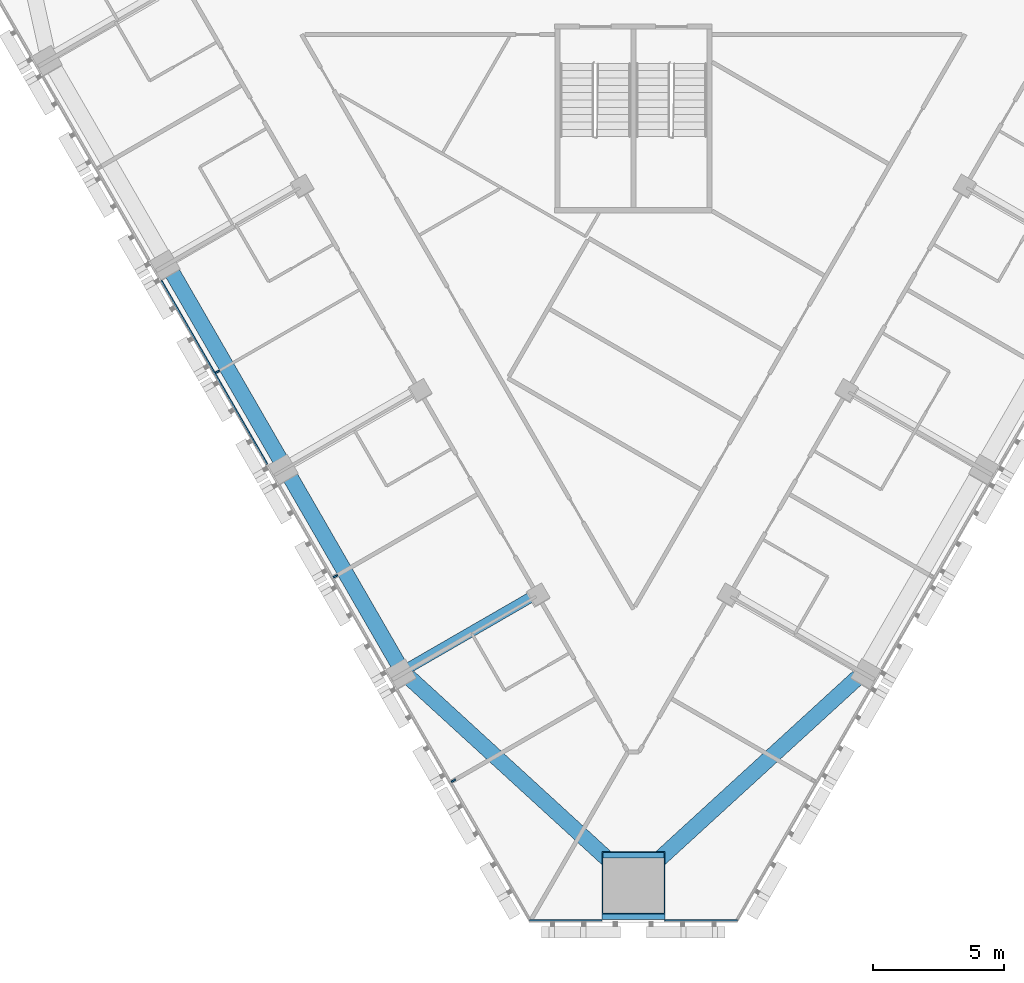
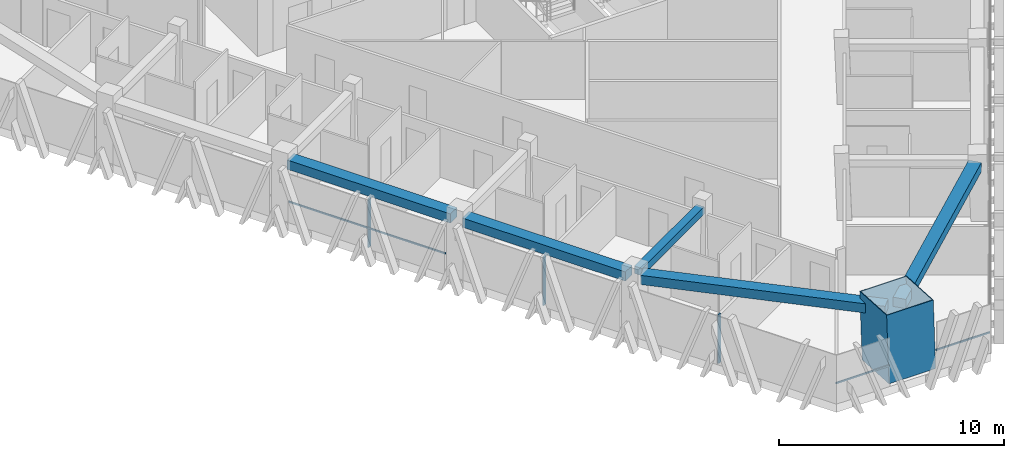
# One storey, part 2 of 16: 7 members, 5 beams, 2 elements without a shape of their own.
"""IFC4 building model written with IfcOpenShell, lengths in metres."""

import ifcopenshell
import ifcopenshell.guid

model = None  # the IFC model being written
_history = None  # IfcOwnerHistory: only IFC2X3 demands one
_inside = {}  # id of a spatial element -> (the spatial element, [elements in it])
_under = {}  # id of a project, library or spatial element -> (it, [spatial elements below it])
_declared = {}  # id of a project -> (the project, [libraries it declares])
_typed = {}  # id of a type object -> (the type object, [elements of that type])
_made_of = {}  # id of a material, layer set ... -> (it, [elements and type objects made of it])


def new_model(schema):
    """Start an empty IFC model of exactly this schema.

    Asked for "IFC4X3", IfcOpenShell would pick the latest addendum, in which some entities
    have other attributes; the version numbers below select the first issue.
    IFC2X3 requires an IfcOwnerHistory on every rooted entity: one is made here for all.
    """
    global model, _history
    if schema == "IFC4X3":
        model = ifcopenshell.file(schema_version=(4, 3, 0, 0))
    else:
        model = ifcopenshell.file(schema=schema)
    _inside.clear()
    _under.clear()
    _declared.clear()
    _typed.clear()
    _made_of.clear()
    _history = None
    if model.schema == "IFC2X3":
        org = make("IfcOrganization", Name="unknown")
        user = make(
            "IfcPersonAndOrganization",
            ThePerson=make("IfcPerson", FamilyName="unknown"),
            TheOrganization=org,
        )
        app = make(
            "IfcApplication",
            ApplicationDeveloper=org,
            Version="unknown",
            ApplicationFullName="unknown",
            ApplicationIdentifier="unknown",
        )
        _history = make(
            "IfcOwnerHistory",
            OwningUser=user,
            OwningApplication=app,
            ChangeAction="ADDED",
            CreationDate=0,
        )
    return model


def make(cls, **values):
    """One entity of the class cls with the attributes given. An attribute that is None is left unset."""
    return model.create_entity(
        cls, **{name: value for name, value in values.items() if value is not None}
    )


def rooted(cls, **values):
    """An entity with a GlobalId (a new one), such as an element, a storey or a relation."""
    return make(cls, GlobalId=ifcopenshell.guid.new(), OwnerHistory=_history, **values)


def si_unit(unit_type, name, prefix=None):
    """IfcSIUnit, for example si_unit("LENGTHUNIT", "METRE", prefix="MILLI")."""
    return make("IfcSIUnit", UnitType=unit_type, Prefix=prefix, Name=name)


def assignment(units):
    """IfcUnitAssignment: the units of a project."""
    return None if units is None else make("IfcUnitAssignment", Units=units)


def point(xyz):
    """IfcCartesianPoint."""
    return None if xyz is None else make("IfcCartesianPoint", Coordinates=xyz)


def direction(xyz):
    """IfcDirection."""
    return None if xyz is None else make("IfcDirection", DirectionRatios=xyz)


def frame(location, z_axis=None, x_axis=None):
    """IfcAxis2Placement3D, a coordinate frame: its origin and axes. An axis left out is left unset."""
    return make(
        "IfcAxis2Placement3D",
        Location=point(location),
        Axis=direction(z_axis),
        RefDirection=direction(x_axis),
    )


def frame_2d(location, x_axis=None):
    """IfcAxis2Placement2D, a coordinate frame in the plane: its origin and x axis."""
    return make(
        "IfcAxis2Placement2D", Location=point(location), RefDirection=direction(x_axis)
    )


def origin():
    """The frame at (0, 0, 0) with its axes left unset."""
    return frame((0.0, 0.0, 0.0))


def origin_2d():
    """The frame at (0, 0) in the plane with its x axis left unset."""
    return frame_2d((0.0, 0.0))


def place(relative_to, where):
    """IfcLocalPlacement: puts the frame where relative to a parent placement (None: the world)."""
    return make(
        "IfcLocalPlacement", PlacementRelTo=relative_to, RelativePlacement=where
    )


def context(
    kind, dimensions, precision=None, world=None, true_north=None, identifier=None
):
    """IfcGeometricRepresentationContext, for example the 3D "Model" context."""
    return make(
        "IfcGeometricRepresentationContext",
        ContextIdentifier=identifier,
        ContextType=kind,
        CoordinateSpaceDimension=dimensions,
        Precision=precision,
        WorldCoordinateSystem=world,
        TrueNorth=true_north,
    )


def subcontext(parent, identifier, kind, view, scale=None):
    """IfcGeometricRepresentationSubContext, for example "Body" below "Model"."""
    return make(
        "IfcGeometricRepresentationSubContext",
        ContextIdentifier=identifier,
        ContextType=kind,
        ParentContext=parent,
        TargetScale=scale,
        TargetView=view,
    )


def project(units=None, contexts=None):
    """IfcProject with its units and contexts."""
    return rooted(
        "IfcProject",
        Name="project",
        RepresentationContexts=contexts,
        UnitsInContext=assignment(units),
    )


def spatial(cls, under=None, at=None, **own):
    """A site, building, storey or space (cls), placed at a placement, below another one or the project."""
    s = rooted(cls, ObjectPlacement=at, **own)
    if under is not None:
        _under.setdefault(under.id(), (under, []))[1].append(s)
    return s


def profile(cls, at=None, kind="AREA", **sizes):
    """A parametric profile (cls). Its sizes go by their IFC names, for example OverallWidth=200.0."""
    return make(cls, ProfileType=kind, Position=at, **sizes)


def rectangle(**sizes):
    """IfcRectangleProfileDef."""
    return profile("IfcRectangleProfileDef", **sizes)


def hollow_rectangle(**sizes):
    """IfcRectangleHollowProfileDef."""
    return profile("IfcRectangleHollowProfileDef", **sizes)


def extrude(swept, where, along, depth):
    """IfcExtrudedAreaSolid: the profile swept, set in the frame where, extruded along a direction by depth."""
    return make(
        "IfcExtrudedAreaSolid",
        SweptArea=swept,
        Position=where,
        ExtrudedDirection=direction(along),
        Depth=depth,
    )


def shape(context_of_items, identifier, shape_type, items):
    """IfcShapeRepresentation: the items that make up one representation, for example the "Body"."""
    return make(
        "IfcShapeRepresentation",
        ContextOfItems=context_of_items,
        RepresentationIdentifier=identifier,
        RepresentationType=shape_type,
        Items=items,
    )


def material(Name=None, Category=None):
    """IfcMaterial."""
    return make("IfcMaterial", Name=Name, Category=Category)


def layer(
    of_material, thickness, ventilated=None, Name=None, Category=None, Priority=None
):
    """IfcMaterialLayer: one layer of a wall or slab, of a material (None: an air gap)."""
    return make(
        "IfcMaterialLayer",
        Material=of_material,
        LayerThickness=thickness,
        IsVentilated=ventilated,
        Name=Name,
        Category=Category,
        Priority=Priority,
    )


def layer_set(layers, Name=None):
    """IfcMaterialLayerSet."""
    return make("IfcMaterialLayerSet", MaterialLayers=layers, LayerSetName=Name)


def material_profile(
    of_material, cross_section, Name=None, Category=None, Priority=None
):
    """IfcMaterialProfile: a cross section and its material."""
    return make(
        "IfcMaterialProfile",
        Name=Name,
        Material=of_material,
        Profile=cross_section,
        Priority=Priority,
        Category=Category,
    )


def profile_set(profiles, Name=None, composite=None):
    """IfcMaterialProfileSet."""
    return make(
        "IfcMaterialProfileSet",
        Name=Name,
        MaterialProfiles=profiles,
        CompositeProfile=composite,
    )


def made_of(thing, what):
    """Note that an element or type object is made of a material, layer set ...; save() writes the relation."""
    if what is not None:
        _made_of.setdefault(what.id(), (what, []))[1].append(thing)
    return thing


def type_object(cls, material=None, **own):
    """A type object (cls), such as IfcWallType, which elements share."""
    return made_of(rooted(cls, **own), material)


def element(
    cls,
    number,
    at=None,
    inside=None,
    cuts=None,
    type_object=None,
    material=None,
    context=None,
    identifier="Body",
    shape_type=None,
    held_by="IfcProductDefinitionShape",
    body=None,
    shapes=None,
    **own,
):
    """One element of the class cls, such as IfcWall. Its Tag is "e" and its number.

    at: its placement. inside: the storey or other place that contains it. cuts: it is an
    opening in that element (IfcRelVoidsElement). A single representation is given by context,
    identifier, shape_type and body (its items); several are given by shapes. held_by: the class
    of the entity that holds the representations. save() writes the other relations.
    """
    e = rooted(cls, Tag="e%d" % number, ObjectPlacement=at, **own)
    if body is not None:
        shapes = [shape(context, identifier, shape_type, body)]
    if shapes is not None:
        e.Representation = make(held_by, Representations=shapes)
    if inside is not None:
        _inside.setdefault(inside.id(), (inside, []))[1].append(e)
    if cuts is not None:
        rooted(
            "IfcRelVoidsElement", RelatingBuildingElement=cuts, RelatedOpeningElement=e
        )
    if type_object is not None:
        _typed.setdefault(type_object.id(), (type_object, []))[1].append(e)
    return made_of(e, material)


def aggregate(whole, parts):
    """IfcRelAggregates: a whole, such as a stair, and the parts it consists of."""
    return rooted("IfcRelAggregates", RelatingObject=whole, RelatedObjects=parts)


def save(model, path):
    """Write the relations noted so far, then the file.

    IfcRelAggregates (storeys below a building ...), IfcRelContainedInSpatialStructure (elements
    in a storey), IfcRelDefinesByType, IfcRelAssociatesMaterial and IfcRelDeclares: one each for
    every whole, place, type object, material and project.
    """
    for whole, parts in _under.values():
        aggregate(whole, parts)
    for where, things in _inside.values():
        rooted(
            "IfcRelContainedInSpatialStructure",
            RelatedElements=things,
            RelatingStructure=where,
        )
    for kind, things in _typed.values():
        rooted("IfcRelDefinesByType", RelatedObjects=things, RelatingType=kind)
    for what, things in _made_of.values():
        rooted("IfcRelAssociatesMaterial", RelatedObjects=things, RelatingMaterial=what)
    for by, libraries in _declared.values():
        rooted("IfcRelDeclares", RelatingContext=by, RelatedDefinitions=libraries)
    model.write(path)


model = new_model("IFC4")

# Units and contexts
model_context = context("Model", 3, precision=1e-05, world=origin(), true_north=direction((0.0, 1.0)))
body_context = subcontext(model_context, "Body", "Model", "MODEL_VIEW")
ifc_project = project(units=[si_unit("LENGTHUNIT", "METRE"), si_unit("AREAUNIT", "SQUARE_METRE"), si_unit("VOLUMEUNIT", "CUBIC_METRE"), si_unit("PLANEANGLEUNIT", "RADIAN"), si_unit("MASSUNIT", "GRAM", prefix="KILO")], contexts=[model_context])

# Site, building, storey
site_placement = place(None, origin())
site = spatial("IfcSite", under=ifc_project, at=site_placement, CompositionType="ELEMENT")
building_placement = place(site_placement, origin())
building = spatial("IfcBuilding", under=site, at=building_placement, Name="Altiplano Prism Tower", CompositionType="ELEMENT")
storey_placement = place(building_placement, frame((0.0, 0.0, 124.199951171875)))
storey = spatial("IfcBuildingStorey", under=building, at=storey_placement, Name="L31", CompositionType="ELEMENT", Elevation=124.199951171875)

# Curtain wall, members
ifc_material_1 = material(Name="Aluminium and glass", Category="aluminium")
ifc_layer = layer(ifc_material_1, 0.280029296875)
ifc_layer_set = layer_set([ifc_layer], Name="Aluminium and glass")
curtain_wall_type = type_object("IfcCurtainWallType", Name="CW1 typical co-living unitised curtain wall", PredefinedType="NOTDEFINED", material=ifc_layer_set)
curtain_wall_1_placement = place(storey_placement, origin())
curtain_wall_1 = element("IfcCurtainWall", 1, at=curtain_wall_1_placement, inside=storey, type_object=curtain_wall_type, Name="CW1 curtain wall south-west face L31", PredefinedType="NOTDEFINED")
ifc_material_2 = material(Name="Aluminium", Category="aluminium")
ifc_material_profile_1 = material_profile(ifc_material_2, rectangle(XDim=0.179931640625, YDim=0.06494140625, at=origin_2d()), Name="CW1 mullion 65 x 180")
ifc_profile_set_1 = profile_set([ifc_material_profile_1], Name="Aluminium")
member_type_1 = type_object("IfcMemberType", Name="CW1 mullion 65 x 180", PredefinedType="MULLION", material=ifc_profile_set_1)
member_1_placement = place(storey_placement, frame((69.1376953125, 77.335693359375, 0.0), z_axis=(0.0, 0.0, 1.0), x_axis=(0.866025409719, 0.499999989722, 0.0)))
member_1 = element("IfcMember", 2, at=member_1_placement, type_object=member_type_1, Name="CW1 mullion", PredefinedType="MULLION", context=body_context, shape_type="SweptSolid", body=[
    extrude(rectangle(XDim=0.179931640625, YDim=0.06494140625, at=origin_2d()), origin(), (0.0, 0.0, 1.0), 2.650146484375),
])
member_2_placement = place(storey_placement, frame((73.6376953125, 69.54150390625, 0.0), z_axis=(0.0, 0.0, 1.0), x_axis=(0.866025409719, 0.499999989722, 0.0)))
member_2 = element("IfcMember", 3, at=member_2_placement, type_object=member_type_1, Name="CW1 mullion", PredefinedType="MULLION", context=body_context, shape_type="SweptSolid", body=[
    extrude(rectangle(XDim=0.179931640625, YDim=0.06494140625, at=origin_2d()), origin(), (0.0, 0.0, 1.0), 2.650146484375),
])
member_3_placement = place(storey_placement, frame((78.1376953125, 61.747314453125, 0.0), z_axis=(0.0, 0.0, 1.0), x_axis=(0.866025409719, 0.499999989722, 0.0)))
member_3 = element("IfcMember", 4, at=member_3_placement, type_object=member_type_1, Name="CW1 mullion", PredefinedType="MULLION", context=body_context, shape_type="SweptSolid", body=[
    extrude(rectangle(XDim=0.179931640625, YDim=0.06494140625, at=origin_2d()), origin(), (0.0, 0.0, 1.0), 2.650146484375),
])
ifc_material_profile_2 = material_profile(ifc_material_2, rectangle(XDim=0.06005859375, YDim=0.080078125, at=origin_2d()), Name="CW1 transom 80 x 60")
ifc_profile_set_2 = profile_set([ifc_material_profile_2], Name="Aluminium")
member_type_2 = type_object("IfcMemberType", Name="CW1 transom 80 x 60", PredefinedType="USERDEFINED", material=ifc_profile_set_2)
member_4_placement = place(storey_placement, frame((66.99658203125, 80.80419921875, 1.10009765625), z_axis=(0.499994808408, -0.866028401131, 0.0), x_axis=(0.866028401131, 0.499994808408, 0.0)))
member_4 = element("IfcMember", 5, at=member_4_placement, type_object=member_type_2, Name="CW1 transom", ObjectType="TRANSOM", PredefinedType="USERDEFINED", context=body_context, shape_type="SweptSolid", body=[
    extrude(rectangle(XDim=0.06005859375, YDim=0.080078125, at=origin_2d()), origin(), (0.0, 0.0, 1.0), 8.06982421875),
])
aggregate(curtain_wall_1, [member_1, member_4, member_2, member_3])

curtain_wall_2_placement = place(storey_placement, origin())
curtain_wall_2 = element("IfcCurtainWall", 6, at=curtain_wall_2_placement, inside=storey, type_object=curtain_wall_type, Name="CW1 curtain wall south chamfer L31", PredefinedType="NOTDEFINED")
member_5_placement = place(storey_placement, frame((81.0390625, 56.411865234375, 1.10009765625), z_axis=(1.0, 0.0, 0.0), x_axis=(0.0, 1.0, 0.0)))
member_5 = element("IfcMember", 7, at=member_5_placement, type_object=member_type_2, Name="CW1 transom", ObjectType="TRANSOM", PredefinedType="USERDEFINED", context=body_context, shape_type="SweptSolid", body=[
    extrude(rectangle(XDim=0.06005859375, YDim=0.080078125, at=origin_2d()), origin(), (0.0, 0.0, 1.0), 2.760986328125),
])
member_6_placement = place(storey_placement, frame((86.199951171875, 56.411865234375, 1.10009765625), z_axis=(1.0, 0.0, 0.0), x_axis=(0.0, 1.0, 0.0)))
member_6 = element("IfcMember", 8, at=member_6_placement, type_object=member_type_2, Name="CW1 transom", ObjectType="TRANSOM", PredefinedType="USERDEFINED", context=body_context, shape_type="SweptSolid", body=[
    extrude(rectangle(XDim=0.06005859375, YDim=0.080078125, at=origin_2d()), origin(), (0.0, 0.0, 1.0), 2.760986328125),
])
aggregate(curtain_wall_2, [member_5, member_6])

# Beams
ifc_material_3 = material(Name="Concrete C60/75", Category="concrete")
ifc_material_profile_3 = material_profile(ifc_material_3, rectangle(XDim=0.60009765625, YDim=0.5, at=origin_2d()), Name="Edge beam 600x500")
ifc_profile_set_3 = profile_set([ifc_material_profile_3], Name="Concrete C60/75")
beam_type_1 = type_object("IfcBeamType", Name="Edge beam 600x500", PredefinedType="SPANDREL", material=ifc_profile_set_3)
beam_1_placement = place(storey_placement, frame((67.345458984375, 81.2373046875, 2.900146484375), z_axis=(0.499988621418, -0.866031973112, 0.0), x_axis=(0.866031973112, 0.499988621418, 0.0)))
element("IfcBeam", 9, at=beam_1_placement, inside=storey, type_object=beam_type_1, Name="Edge beam P12-P13 L32", PredefinedType="SPANDREL", context=body_context, shape_type="SweptSolid", body=[
    extrude(rectangle(XDim=0.60009765625, YDim=0.5, at=origin_2d()), origin(), (0.0, 0.0, 1.0), 8.389892578125),
])
beam_2_placement = place(storey_placement, frame((71.845458984375, 73.443115234375, 2.900146484375), z_axis=(0.499976021395, -0.866039247396, 0.0), x_axis=(0.866039247396, 0.499976021395, 0.0)))
element("IfcBeam", 10, at=beam_2_placement, inside=storey, type_object=beam_type_1, Name="Edge beam P13-P14 L32", PredefinedType="SPANDREL", context=body_context, shape_type="SweptSolid", body=[
    extrude(rectangle(XDim=0.60009765625, YDim=0.5, at=origin_2d()), origin(), (0.0, 0.0, 1.0), 8.39013671875),
])
for number, where, z_axis, x_axis, name in (
    (11, (76.43310546875, 65.693115234375, 2.900146484375), (0.73767863541, -0.675152005744, 0.0), (0.675152005744, 0.73767863541, 0.0), "Edge beam P14-M1 L32"),
    (12, (85.33203125, 58.15625, 2.900146484375), (0.73767863541, 0.675152005744, 0.0), (-0.675152005744, 0.73767863541, 0.0), "Edge beam M1-P21 L32"),
):
    element("IfcBeam", number, at=place(storey_placement, frame(where, z_axis=z_axis, x_axis=x_axis)), inside=storey, type_object=beam_type_1, Name=name, PredefinedType="SPANDREL", context=body_context, shape_type="SweptSolid", body=[
        extrude(rectangle(XDim=0.60009765625, YDim=0.5, at=origin_2d()), origin(), (0.0, 0.0, 1.0), 11.163330078125),
    ])

# Member
ifc_material_4 = material(Name="Steel S460", Category="steel")
ifc_material_profile_4 = material_profile(ifc_material_4, hollow_rectangle(XDim=2.39990234375, YDim=2.39990234375, WallThickness=0.0400390625, at=origin_2d()), Name="Mega column tube 2400")
ifc_profile_set_4 = profile_set([ifc_material_profile_4], Name="Steel S460")
member_type_3 = type_object("IfcMemberType", Name="Mega column tube 2400", PredefinedType="POST", material=ifc_profile_set_4)
member_7_placement = place(storey_placement, frame((85.0, 57.64208984375, 0.0), z_axis=(0.0, 0.058289438722, 0.9982997252), x_axis=(-1.0, 0.0, 0.0)))
element("IfcMember", 13, at=member_7_placement, inside=storey, type_object=member_type_3, Name="Mega column tube M1 L31", PredefinedType="POST", context=body_context, shape_type="SweptSolid", body=[
    extrude(hollow_rectangle(XDim=2.39990234375, YDim=2.39990234375, WallThickness=0.0400390625, at=origin_2d()), origin(), (0.0, 0.0, 1.0), 3.606201171875),
])

# Beam
ifc_material_profile_5 = material_profile(ifc_material_3, rectangle(XDim=0.39990234375, YDim=0.39990234375, at=origin_2d()), Name="Tie beam 400x400")
ifc_profile_set_5 = profile_set([ifc_material_profile_5], Name="Concrete C60/75")
beam_type_2 = type_object("IfcBeamType", Name="Tie beam 400x400", PredefinedType="BEAM", material=ifc_profile_set_5)
beam_3_placement = place(storey_placement, frame((81.2548828125, 68.83544921875, 2.949951171875), z_axis=(-0.866027073272, -0.499997108352, 0.0), x_axis=(0.499997108352, -0.866027073272, 0.0)))
element("IfcBeam", 14, at=beam_3_placement, inside=storey, type_object=beam_type_2, Name="Tie beam I14 L32", PredefinedType="BEAM", context=body_context, shape_type="SweptSolid", body=[
    extrude(rectangle(XDim=0.39990234375, YDim=0.39990234375, at=origin_2d()), origin(), (0.0, 0.0, 1.0), 5.5400390625),
])

save(model, "model.ifc")
